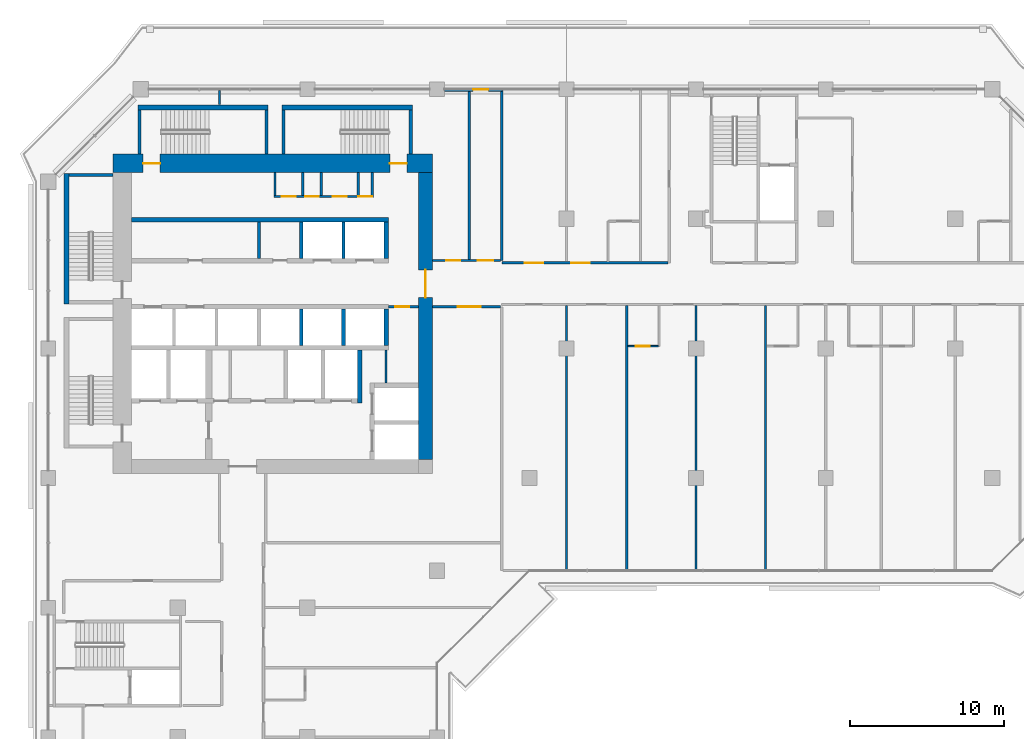
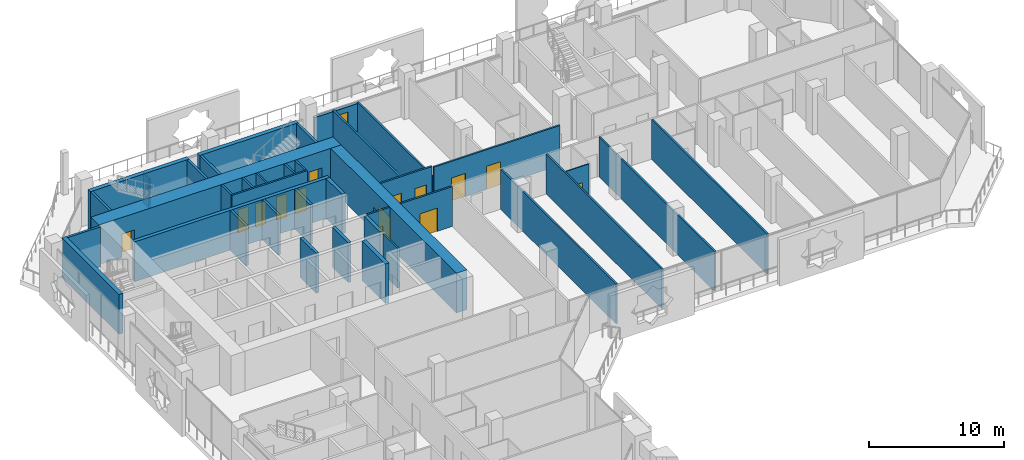
# One storey, part 12 of 22: 39 walls, 15 doors, 15 openings.
"""IFC4 building model written with IfcOpenShell, lengths in metres."""

from ifc_helpers import new_model, si_unit, direction, frame, frame_2d, origin, place, context, subcontext, project, spatial, rectangle, extrude, material, layer, layer_set, type_object, element, fill, save


model = new_model("IFC4")

# Units and contexts
model_context = context("Model", 3, precision=1e-05, world=origin(), true_north=direction((0.0, 1.0)))
body_context = subcontext(model_context, "Body", "Model", "MODEL_VIEW")
ifc_project = project(units=[si_unit("LENGTHUNIT", "METRE"), si_unit("AREAUNIT", "SQUARE_METRE"), si_unit("VOLUMEUNIT", "CUBIC_METRE"), si_unit("PLANEANGLEUNIT", "RADIAN"), si_unit("MASSUNIT", "GRAM", prefix="KILO")], contexts=[model_context])

# Site, building, storey
site_placement = place(None, origin())
site = spatial("IfcSite", under=ifc_project, at=site_placement, CompositionType="ELEMENT")
building_placement = place(site_placement, origin())
building = spatial("IfcBuilding", under=site, at=building_placement, Name="Kawkab Arch Medical Tower", CompositionType="ELEMENT")
storey_placement = place(building_placement, frame((0.0, 0.0, 171.0)))
storey = spatial("IfcBuildingStorey", under=building, at=storey_placement, Name="L39", CompositionType="ELEMENT", Elevation=171.0)

# Wall, openings, doors
ifc_material_1 = material(Name="Concrete C55/67", Category="concrete")
ifc_layer_1 = layer(ifc_material_1, 1.199951171875)
ifc_layer_set_1 = layer_set([ifc_layer_1], Name="Concrete C55/67")
wall_type_1 = type_object("IfcWallType", Name="Core ring wall 1200 C55/67", PredefinedType="SHEAR", material=ifc_layer_set_1)
wall_1_placement = place(storey_placement, frame((4.199951171875, -4.800048828125, 0.0), z_axis=(0.0, 0.0, 1.0), x_axis=(1.0, 0.0, 0.0)))
wall_1 = element("IfcWall", 1, at=wall_1_placement, inside=storey, type_object=wall_type_1, Name="L39 core wall", PredefinedType="SHEAR", context=body_context, shape_type="SweptSolid", body=[
    extrude(rectangle(XDim=20.699951171875, YDim=1.199951171875, at=frame_2d((10.35009765625, 0.0))), origin(), (0.0, 0.0, 1.0), 3.60009765625),
])
opening_1_placement = place(wall_1_placement, frame((1.949951171875, 0.0, 0.0)))
opening_1 = element("IfcOpeningElement", 2, at=opening_1_placement, cuts=wall_1, Name="Opening SD", PredefinedType="OPENING", context=body_context, shape_type="SweptSolid", body=[
    extrude(rectangle(XDim=1.10009765625, YDim=2.10009765625, at=frame_2d((0.550048828125, 1.050048828125))), frame((0.0, 0.60986328125, 0.0), z_axis=(0.0, -1.0, 0.0), x_axis=(1.0, 0.0, 0.0)), (0.0, 0.0, 1.0), 1.219970703125),
])
opening_2_placement = place(wall_1_placement, frame((17.949951171875, 0.0, 0.0)))
opening_2 = element("IfcOpeningElement", 3, at=opening_2_placement, cuts=wall_1, Name="Opening SD", PredefinedType="OPENING", context=body_context, shape_type="SweptSolid", body=[
    extrude(rectangle(XDim=1.10009765625, YDim=2.10009765625, at=frame_2d((0.550048828125, 1.050048828125))), frame((0.0, 0.60986328125, 0.0), z_axis=(0.0, -1.0, 0.0), x_axis=(1.0, 0.0, 0.0)), (0.0, 0.0, 1.0), 1.219970703125),
])
ifc_material_2 = material(Name="Hollow metal fire door leaf")
door_type_1 = type_object("IfcDoorType", Name="Exit stair door 1100", OperationType="SINGLE_SWING_LEFT", PredefinedType="DOOR", material=ifc_material_2)
door_1_placement = place(opening_1_placement, origin())
door_1 = element("IfcDoor", 4, at=door_1_placement, inside=storey, type_object=door_type_1, Name="L39 Exit stair ST3 door", OperationType="SINGLE_SWING_LEFT", OverallHeight=2.10009765625, OverallWidth=1.10009765625, PredefinedType="DOOR", context=body_context, shape_type="SweptSolid", body=[
    extrude(rectangle(XDim=1.10009765625, YDim=2.10009765625, at=frame_2d((0.550048828125, 1.050048828125))), frame((0.0, 0.02490234375, 0.0), z_axis=(0.0, -1.0, 0.0), x_axis=(1.0, 0.0, 0.0)), (0.0, 0.0, 1.0), 0.050048828125),
])
fill(opening_1, door_1)
door_2_placement = place(opening_2_placement, origin())
door_2 = element("IfcDoor", 5, at=door_2_placement, inside=storey, type_object=door_type_1, Name="L39 Exit stair ST4 door", OperationType="SINGLE_SWING_LEFT", OverallHeight=2.10009765625, OverallWidth=1.10009765625, PredefinedType="DOOR", context=body_context, shape_type="SweptSolid", body=[
    extrude(rectangle(XDim=1.10009765625, YDim=2.10009765625, at=frame_2d((0.550048828125, 1.050048828125))), frame((0.0, 0.02490234375, 0.0), z_axis=(0.0, -1.0, 0.0), x_axis=(1.0, 0.0, 0.0)), (0.0, 0.0, 1.0), 0.050048828125),
])
fill(opening_2, door_2)

# Wall, opening, door
ifc_material_3 = material(Name="Concrete C55/67", Category="concrete")
ifc_layer_2 = layer(ifc_material_3, 0.89990234375)
ifc_layer_set_2 = layer_set([ifc_layer_2], Name="Concrete C55/67")
wall_type_2 = type_object("IfcWallType", Name="Core ring wall 900 C55/67", PredefinedType="SHEAR", material=ifc_layer_set_2)
wall_2_placement = place(storey_placement, frame((24.449951171875, -24.0, 0.0), z_axis=(0.0, 0.0, 1.0), x_axis=(0.0, 1.0, 0.0)))
wall_2 = element("IfcWall", 6, at=wall_2_placement, inside=storey, type_object=wall_type_2, Name="L39 core wall", PredefinedType="SHEAR", context=body_context, shape_type="SweptSolid", body=[
    extrude(rectangle(XDim=18.60009765625, YDim=0.89990234375, at=frame_2d((9.300048828125, 0.0))), origin(), (0.0, 0.0, 1.0), 3.60009765625),
])
opening_3_placement = place(wall_2_placement, frame((10.5, 0.0, 0.0)))
opening_3 = element("IfcOpeningElement", 7, at=opening_3_placement, cuts=wall_2, Name="Opening PD", PredefinedType="OPENING", context=body_context, shape_type="SweptSolid", body=[
    extrude(rectangle(XDim=1.800048828125, YDim=2.10009765625, at=frame_2d((0.89990234375, 1.050048828125))), frame((0.0, 0.4599609375, 0.0), z_axis=(0.0, -1.0, 0.0), x_axis=(1.0, 0.0, 0.0)), (0.0, 0.0, 1.0), 0.919921875),
])
ifc_material_4 = material(Name="Hollow metal fire door leaf")
door_type_2 = type_object("IfcDoorType", Name="Core entrance doors 1800", OperationType="DOUBLE_DOOR_SINGLE_SWING", PredefinedType="DOOR", material=ifc_material_4)
door_3_placement = place(opening_3_placement, origin())
door_3 = element("IfcDoor", 8, at=door_3_placement, inside=storey, type_object=door_type_2, Name="L39 East entrance doors", OperationType="DOUBLE_DOOR_SINGLE_SWING", OverallHeight=2.10009765625, OverallWidth=1.800048828125, PredefinedType="DOOR", context=body_context, shape_type="SweptSolid", body=[
    extrude(rectangle(XDim=1.800048828125, YDim=2.10009765625, at=frame_2d((0.89990234375, 1.050048828125))), frame((0.0, 0.02490234375, 0.0), z_axis=(0.0, -1.0, 0.0), x_axis=(1.0, 0.0, 0.0)), (0.0, 0.0, 1.0), 0.050048828125),
])
fill(opening_3, door_3)

# Wall
ifc_material_5 = material(Name="Gypsum board on steel studs", Category="steel")
ifc_layer_3 = layer(ifc_material_5, 0.14990234375)
ifc_layer_set_3 = layer_set([ifc_layer_3], Name="Gypsum board on steel studs")
wall_type_3 = type_object("IfcWallType", Name="Core room partition 150", PredefinedType="PARTITIONING", material=ifc_layer_set_3)
wall_3_placement = place(storey_placement, frame((21.89990234375, -19.050048828125, 0.0), z_axis=(0.0, 0.0, 1.0), x_axis=(0.0, 1.0, 0.0)))
element("IfcWall", 9, at=wall_3_placement, inside=storey, type_object=wall_type_3, Name="L39 core room partition", PredefinedType="PARTITIONING", context=body_context, shape_type="SweptSolid", body=[
    extrude(rectangle(XDim=2.150146484375, YDim=0.14990234375, at=frame_2d((1.0751953125, 0.0))), origin(), (0.0, 0.0, 1.0), 3.60009765625),
])

# Wall, opening, door
wall_4_placement = place(storey_placement, frame((22.050048828125, -14.10009765625, 0.0), z_axis=(0.0, 0.0, 1.0), x_axis=(1.0, 0.0, 0.0)))
wall_4 = element("IfcWall", 10, at=wall_4_placement, inside=storey, type_object=wall_type_3, Name="L39 core room partition", PredefinedType="PARTITIONING", context=body_context, shape_type="SweptSolid", body=[
    extrude(rectangle(XDim=1.949951171875, YDim=0.14990234375, at=frame_2d((0.97509765625, 0.0))), origin(), (0.0, 0.0, 1.0), 3.60009765625),
])
opening_4_placement = place(wall_4_placement, frame((0.449951171875, 0.0, 0.0)))
opening_4 = element("IfcOpeningElement", 11, at=opening_4_placement, cuts=wall_4, Name="Opening RD", PredefinedType="OPENING", context=body_context, shape_type="SweptSolid", body=[
    extrude(rectangle(XDim=0.89990234375, YDim=2.10009765625, at=frame_2d((0.449951171875, 1.050048828125))), frame((0.0, 0.0849609375, 0.0), z_axis=(0.0, -1.0, 0.0), x_axis=(1.0, 0.0, 0.0)), (0.0, 0.0, 1.0), 0.169921875),
])
ifc_material_6 = material(Name="Hollow metal fire door leaf")
door_type_3 = type_object("IfcDoorType", Name="Core room door 900", OperationType="SINGLE_SWING_LEFT", PredefinedType="DOOR", material=ifc_material_6)
door_4_placement = place(opening_4_placement, origin())
door_4 = element("IfcDoor", 12, at=door_4_placement, inside=storey, type_object=door_type_3, Name="L39 Ward pantry door", OperationType="SINGLE_SWING_LEFT", OverallHeight=2.10009765625, OverallWidth=0.89990234375, PredefinedType="DOOR", context=body_context, shape_type="SweptSolid", body=[
    extrude(rectangle(XDim=0.89990234375, YDim=2.10009765625, at=frame_2d((0.449951171875, 1.050048828125))), frame((0.0, 0.02490234375, 0.0), z_axis=(0.0, -1.0, 0.0), x_axis=(1.0, 0.0, 0.0)), (0.0, 0.0, 1.0), 0.050048828125),
])
fill(opening_4, door_4)

# Wall, openings, doors
wall_5_placement = place(storey_placement, frame((14.625, -6.949951171875, 0.0), z_axis=(0.0, 0.0, 1.0), x_axis=(1.0, 0.0, 0.0)))
wall_5 = element("IfcWall", 13, at=wall_5_placement, inside=storey, type_object=wall_type_3, Name="L39 core room partition", PredefinedType="PARTITIONING", context=body_context, shape_type="SweptSolid", body=[
    extrude(rectangle(XDim=6.449951171875, YDim=0.14990234375, at=frame_2d((3.22509765625, 0.0))), origin(), (0.0, 0.0, 1.0), 3.60009765625),
])
opening_5_placement = place(wall_5_placement, frame((0.52490234375, 0.0, 0.0)))
opening_5 = element("IfcOpeningElement", 14, at=opening_5_placement, cuts=wall_5, Name="Opening RD", PredefinedType="OPENING", context=body_context, shape_type="SweptSolid", body=[
    extrude(rectangle(XDim=0.89990234375, YDim=2.10009765625, at=frame_2d((0.449951171875, 1.050048828125))), frame((0.0, 0.0849609375, 0.0), z_axis=(0.0, -1.0, 0.0), x_axis=(1.0, 0.0, 0.0)), (0.0, 0.0, 1.0), 0.169921875),
])
opening_6_placement = place(wall_5_placement, frame((2.02490234375, 0.0, 0.0)))
opening_6 = element("IfcOpeningElement", 15, at=opening_6_placement, cuts=wall_5, Name="Opening RD", PredefinedType="OPENING", context=body_context, shape_type="SweptSolid", body=[
    extrude(rectangle(XDim=0.89990234375, YDim=2.10009765625, at=frame_2d((0.449951171875, 1.050048828125))), frame((0.0, 0.0849609375, 0.0), z_axis=(0.0, -1.0, 0.0), x_axis=(1.0, 0.0, 0.0)), (0.0, 0.0, 1.0), 0.169921875),
])
opening_7_placement = place(wall_5_placement, frame((3.824951171875, 0.0, 0.0)))
opening_7 = element("IfcOpeningElement", 16, at=opening_7_placement, cuts=wall_5, Name="Opening RD", PredefinedType="OPENING", context=body_context, shape_type="SweptSolid", body=[
    extrude(rectangle(XDim=0.89990234375, YDim=2.10009765625, at=frame_2d((0.449951171875, 1.050048828125))), frame((0.0, 0.0849609375, 0.0), z_axis=(0.0, -1.0, 0.0), x_axis=(1.0, 0.0, 0.0)), (0.0, 0.0, 1.0), 0.169921875),
])
opening_8_placement = place(wall_5_placement, frame((5.47509765625, 0.0, 0.0)))
opening_8 = element("IfcOpeningElement", 17, at=opening_8_placement, cuts=wall_5, Name="Opening RD", PredefinedType="OPENING", context=body_context, shape_type="SweptSolid", body=[
    extrude(rectangle(XDim=0.89990234375, YDim=2.10009765625, at=frame_2d((0.449951171875, 1.050048828125))), frame((0.0, 0.0849609375, 0.0), z_axis=(0.0, -1.0, 0.0), x_axis=(1.0, 0.0, 0.0)), (0.0, 0.0, 1.0), 0.169921875),
])
door_5_placement = place(opening_5_placement, origin())
door_5 = element("IfcDoor", 18, at=door_5_placement, inside=storey, type_object=door_type_3, Name="L39 Data room door", OperationType="SINGLE_SWING_LEFT", OverallHeight=2.10009765625, OverallWidth=0.89990234375, PredefinedType="DOOR", context=body_context, shape_type="SweptSolid", body=[
    extrude(rectangle(XDim=0.89990234375, YDim=2.10009765625, at=frame_2d((0.449951171875, 1.050048828125))), frame((0.0, 0.02490234375, 0.0), z_axis=(0.0, -1.0, 0.0), x_axis=(1.0, 0.0, 0.0)), (0.0, 0.0, 1.0), 0.050048828125),
])
fill(opening_5, door_5)
door_6_placement = place(opening_6_placement, origin())
door_6 = element("IfcDoor", 19, at=door_6_placement, inside=storey, type_object=door_type_3, Name="L39 Electrical riser room door", OperationType="SINGLE_SWING_LEFT", OverallHeight=2.10009765625, OverallWidth=0.89990234375, PredefinedType="DOOR", context=body_context, shape_type="SweptSolid", body=[
    extrude(rectangle(XDim=0.89990234375, YDim=2.10009765625, at=frame_2d((0.449951171875, 1.050048828125))), frame((0.0, 0.02490234375, 0.0), z_axis=(0.0, -1.0, 0.0), x_axis=(1.0, 0.0, 0.0)), (0.0, 0.0, 1.0), 0.050048828125),
])
fill(opening_6, door_6)
door_7_placement = place(opening_7_placement, origin())
door_7 = element("IfcDoor", 20, at=door_7_placement, inside=storey, type_object=door_type_3, Name="L39 Equipment store door", OperationType="SINGLE_SWING_LEFT", OverallHeight=2.10009765625, OverallWidth=0.89990234375, PredefinedType="DOOR", context=body_context, shape_type="SweptSolid", body=[
    extrude(rectangle(XDim=0.89990234375, YDim=2.10009765625, at=frame_2d((0.449951171875, 1.050048828125))), frame((0.0, 0.02490234375, 0.0), z_axis=(0.0, -1.0, 0.0), x_axis=(1.0, 0.0, 0.0)), (0.0, 0.0, 1.0), 0.050048828125),
])
fill(opening_7, door_7)
door_8_placement = place(opening_8_placement, origin())
door_8 = element("IfcDoor", 21, at=door_8_placement, inside=storey, type_object=door_type_3, Name="L39 General store door", OperationType="SINGLE_SWING_LEFT", OverallHeight=2.10009765625, OverallWidth=0.89990234375, PredefinedType="DOOR", context=body_context, shape_type="SweptSolid", body=[
    extrude(rectangle(XDim=0.89990234375, YDim=2.10009765625, at=frame_2d((0.449951171875, 1.050048828125))), frame((0.0, 0.02490234375, 0.0), z_axis=(0.0, -1.0, 0.0), x_axis=(1.0, 0.0, 0.0)), (0.0, 0.0, 1.0), 0.050048828125),
])
fill(opening_8, door_8)

# Walls
for number, where, z_axis, x_axis, name in (
    (22, (14.699951171875, -6.875, 0.0), (0.0, 0.0, 1.0), (0.0, 1.0, 0.0), "L39 core room partition"),
    (23, (16.5, -6.875, 0.0), (0.0, 0.0, 1.0), (0.0, 1.0, 0.0), "L39 core room partition"),
    (24, (17.699951171875, -6.875, 0.0), (0.0, 0.0, 1.0), (0.0, 1.0, 0.0), "L39 core room partition"),
    (25, (20.10009765625, -6.875, 0.0), (0.0, 0.0, 1.0), (0.0, 1.0, 0.0), "L39 core room partition"),
    (26, (21.0, -6.875, 0.0), (0.0, 0.0, 1.0), (0.0, 1.0, 0.0), "L39 core room partition"),
):
    element("IfcWall", number, at=place(storey_placement, frame(where, z_axis=z_axis, x_axis=x_axis)), inside=storey, type_object=wall_type_3, Name=name, PredefinedType="PARTITIONING", context=body_context, shape_type="SweptSolid", body=[
        extrude(rectangle(XDim=1.47509765625, YDim=0.14990234375, at=frame_2d((0.737548828125, 0.0))), origin(), (0.0, 0.0, 1.0), 3.60009765625),
    ])
ifc_material_7 = material(Name="Concrete C60/75", Category="concrete")
ifc_layer_4 = layer(ifc_material_7, 0.25)
ifc_layer_set_4 = layer_set([ifc_layer_4], Name="Concrete C60/75")
wall_type_4 = type_object("IfcWallType", Name="Core shear wall 250 C60/75", PredefinedType="SHEAR", material=ifc_layer_set_4)
for number, where, z_axis, x_axis, name in (
    (27, (16.39990234375, -16.60009765625, 0.0), (0.0, 0.0, 1.0), (0.0, 1.0, 0.0), "L39 core shear wall"),
    (28, (19.14990234375, -16.60009765625, 0.0), (0.0, 0.0, 1.0), (0.0, 1.0, 0.0), "L39 core shear wall"),
):
    element("IfcWall", number, at=place(storey_placement, frame(where, z_axis=z_axis, x_axis=x_axis)), inside=storey, type_object=wall_type_4, Name=name, PredefinedType="SHEAR", context=body_context, shape_type="SweptSolid", body=[
        extrude(rectangle(XDim=2.35009765625, YDim=0.25, at=frame_2d((1.175048828125, 0.0))), origin(), (0.0, 0.0, 1.0), 3.60009765625),
    ])
ifc_material_8 = material(Name="Concrete C60/75", Category="concrete")
ifc_layer_5 = layer(ifc_material_8, 0.300048828125)
ifc_layer_set_5 = layer_set([ifc_layer_5], Name="Concrete C60/75")
wall_type_5 = type_object("IfcWallType", Name="Core shear wall 300 C60/75", PredefinedType="SHEAR", material=ifc_layer_set_5)
wall_6_placement = place(storey_placement, frame((5.39990234375, -8.449951171875, 0.0), z_axis=(0.0, 0.0, 1.0), x_axis=(1.0, 0.0, 0.0)))
element("IfcWall", 29, at=wall_6_placement, inside=storey, type_object=wall_type_5, Name="L39 core shear wall", PredefinedType="SHEAR", context=body_context, shape_type="SweptSolid", body=[
    extrude(rectangle(XDim=16.650146484375, YDim=0.300048828125, at=frame_2d((8.3251953125, 0.0))), origin(), (0.0, 0.0, 1.0), 3.60009765625),
])
wall_7_placement = place(storey_placement, frame((20.199951171875, -20.35009765625, 0.0), z_axis=(0.0, 0.0, 1.0), x_axis=(0.0, 1.0, 0.0)))
element("IfcWall", 30, at=wall_7_placement, inside=storey, type_object=wall_type_5, Name="L39 core shear wall", PredefinedType="SHEAR", context=body_context, shape_type="SweptSolid", body=[
    extrude(rectangle(XDim=3.4501953125, YDim=0.300048828125, at=frame_2d((1.72509765625, 0.0))), origin(), (0.0, 0.0, 1.0), 3.60009765625),
])
wall_8_placement = place(storey_placement, frame((21.89990234375, -10.949951171875, 0.0), z_axis=(0.0, 0.0, 1.0), x_axis=(0.0, 1.0, 0.0)))
element("IfcWall", 31, at=wall_8_placement, inside=storey, type_object=wall_type_5, Name="L39 core shear wall", PredefinedType="SHEAR", context=body_context, shape_type="SweptSolid", body=[
    extrude(rectangle(XDim=2.349853515625, YDim=0.300048828125, at=frame_2d((1.1748046875, 0.0))), origin(), (0.0, 0.0, 1.0), 3.60009765625),
])
wall_9_placement = place(storey_placement, frame((21.89990234375, -16.60009765625, 0.0), z_axis=(0.0, 0.0, 1.0), x_axis=(0.0, 1.0, 0.0)))
element("IfcWall", 32, at=wall_9_placement, inside=storey, type_object=wall_type_5, Name="L39 core shear wall", PredefinedType="SHEAR", context=body_context, shape_type="SweptSolid", body=[
    extrude(rectangle(XDim=2.35009765625, YDim=0.300048828125, at=frame_2d((1.175048828125, 0.0))), origin(), (0.0, 0.0, 1.0), 3.60009765625),
])

# Wall, opening, door
ifc_material_9 = material(Name="Bronze clad insulated wall panel")
ifc_layer_6 = layer(ifc_material_9, 0.25)
ifc_layer_set_6 = layer_set([ifc_layer_6], Name="Bronze clad insulated wall panel")
wall_type_6 = type_object("IfcWallType", Name="External wall bay 250", PredefinedType="SOLIDWALL", material=ifc_layer_set_6)
wall_10_placement = place(storey_placement, frame((29.39990234375, 0.0, 0.0), z_axis=(0.0, 0.0, 1.0), x_axis=(-1.0, 0.0, 0.0)))
wall_10 = element("IfcWall", 33, at=wall_10_placement, inside=storey, type_object=wall_type_6, Name="External wall bay L39.R11.4.2", PredefinedType="SOLIDWALL", context=body_context, shape_type="SweptSolid", body=[
    extrude(rectangle(XDim=3.724853515625, YDim=0.25, at=frame_2d((1.8623046875, 0.0))), origin(), (0.0, 0.0, 1.0), 2.580078125),
])
opening_9_placement = place(wall_10_placement, frame((0.862548828125, 0.0, 0.0)))
opening_9 = element("IfcOpeningElement", 34, at=opening_9_placement, cuts=wall_10, Name="Opening W39-702", PredefinedType="OPENING", context=body_context, shape_type="SweptSolid", body=[
    extrude(rectangle(XDim=1.0, YDim=2.10009765625, at=frame_2d((0.5, 1.050048828125))), frame((0.0, 0.135009765625, 0.0), z_axis=(0.0, -1.0, 0.0), x_axis=(1.0, 0.0, 0.0)), (0.0, 0.0, 1.0), 0.27001953125),
])
ifc_material_10 = material(Name="Bronze anodised aluminium door with tinted glass", Category="aluminium")
door_type_4 = type_object("IfcDoorType", Name="Single external door 1000 x 2100", OperationType="SINGLE_SWING_LEFT", PredefinedType="DOOR", material=ifc_material_10)
door_9_placement = place(opening_9_placement, origin())
door_9 = element("IfcDoor", 35, at=door_9_placement, inside=storey, type_object=door_type_4, Name="External door L39.R11.4.2", OperationType="SINGLE_SWING_LEFT", OverallHeight=2.10009765625, OverallWidth=1.0, PredefinedType="DOOR", context=body_context, shape_type="SweptSolid", body=[
    extrude(rectangle(XDim=1.0, YDim=2.10009765625, at=frame_2d((0.5, 1.050048828125))), frame((0.0, 0.02490234375, 0.0), z_axis=(0.0, -1.0, 0.0), x_axis=(1.0, 0.0, 0.0)), (0.0, 0.0, 1.0), 0.050048828125),
])
fill(opening_9, door_9)

# Walls
ifc_material_11 = material(Name="Dense concrete blockwork", Category="masonry")
ifc_layer_7 = layer(ifc_material_11, 0.199951171875)
ifc_layer_set_7 = layer_set([ifc_layer_7], Name="Dense concrete blockwork")
wall_type_7 = type_object("IfcWallType", Name="Lift shaft partition 200", PredefinedType="PARTITIONING", material=ifc_layer_set_7)
for number, where, z_axis, x_axis, name in (
    (36, (13.64990234375, -10.949951171875, 0.0), (0.0, 0.0, 1.0), (0.0, 1.0, 0.0), "L39 lift shaft partition"),
    (37, (16.39990234375, -10.949951171875, 0.0), (0.0, 0.0, 1.0), (0.0, 1.0, 0.0), "L39 lift shaft partition"),
    (38, (19.14990234375, -10.949951171875, 0.0), (0.0, 0.0, 1.0), (0.0, 1.0, 0.0), "L39 lift shaft partition"),
):
    element("IfcWall", number, at=place(storey_placement, frame(where, z_axis=z_axis, x_axis=x_axis)), inside=storey, type_object=wall_type_7, Name=name, PredefinedType="PARTITIONING", context=body_context, shape_type="SweptSolid", body=[
        extrude(rectangle(XDim=2.349853515625, YDim=0.199951171875, at=frame_2d((1.1748046875, 0.0))), origin(), (0.0, 0.0, 1.0), 3.60009765625),
    ])

# Wall, opening, door
ifc_material_12 = material(Name="Gypsum board partition on steel studs", Category="steel")
ifc_layer_8 = layer(ifc_material_12, 0.10009765625)
ifc_layer_set_8 = layer_set([ifc_layer_8], Name="Gypsum board partition on steel studs")
wall_type_8 = type_object("IfcWallType", Name="Partition 100", PredefinedType="PARTITIONING", material=ifc_layer_set_8)
wall_11_placement = place(storey_placement, frame((37.574951171875, -16.64990234375, 0.0), z_axis=(0.0, 0.0, 1.0), x_axis=(1.0, 0.0, 0.0)))
wall_11 = element("IfcWall", 39, at=wall_11_placement, inside=storey, type_object=wall_type_8, Name="Partition 100 w004", PredefinedType="PARTITIONING", context=body_context, shape_type="SweptSolid", body=[
    extrude(rectangle(XDim=1.97509765625, YDim=0.10009765625, at=frame_2d((0.987548828125, 0.0))), origin(), (0.0, 0.0, 1.0), 3.60009765625),
])
opening_10_placement = place(wall_11_placement, frame((0.52490234375, 0.0, 0.0)))
opening_10 = element("IfcOpeningElement", 40, at=opening_10_placement, cuts=wall_11, Name="Opening W39-005", PredefinedType="OPENING", context=body_context, shape_type="SweptSolid", body=[
    extrude(rectangle(XDim=0.89990234375, YDim=2.10009765625, at=frame_2d((0.449951171875, 1.050048828125))), frame((0.0, 0.06005859375, 0.0), z_axis=(0.0, -1.0, 0.0), x_axis=(1.0, 0.0, 0.0)), (0.0, 0.0, 1.0), 0.1201171875),
])
ifc_material_13 = material(Name="Timber door leaf", Category="wood")
door_type_5 = type_object("IfcDoorType", Name="Single door 900x2100", OperationType="NOTDEFINED", PredefinedType="DOOR", material=ifc_material_13)
door_10_placement = place(opening_10_placement, origin())
door_10 = element("IfcDoor", 41, at=door_10_placement, inside=storey, type_object=door_type_5, Name="Door W39-005", OperationType="SINGLE_SWING_LEFT", OverallHeight=2.10009765625, OverallWidth=0.89990234375, PredefinedType="DOOR", context=body_context, shape_type="SweptSolid", body=[
    extrude(rectangle(XDim=0.89990234375, YDim=2.10009765625, at=frame_2d((0.449951171875, 1.050048828125))), frame((0.0, 0.02490234375, 0.0), z_axis=(0.0, -1.0, 0.0), x_axis=(1.0, 0.0, 0.0)), (0.0, 0.0, 1.0), 0.050048828125),
])
fill(opening_10, door_10)

ifc_material_14 = material(Name="Gypsum board partition on steel studs, mineral wool", Category="steel")
ifc_layer_9 = layer(ifc_material_14, 0.14990234375)
ifc_layer_set_9 = layer_set([ifc_layer_9], Name="Gypsum board partition on steel studs, mineral wool")
wall_type_9 = type_object("IfcWallType", Name="Partition 150", PredefinedType="PARTITIONING", material=ifc_layer_set_9)
wall_12_placement = place(storey_placement, frame((24.89990234375, -14.10009765625, 0.0), z_axis=(0.0, 0.0, 1.0), x_axis=(1.0, 0.0, 0.0)))
wall_12 = element("IfcWall", 42, at=wall_12_placement, inside=storey, type_object=wall_type_9, Name="Partition 150 w031", PredefinedType="PARTITIONING", context=body_context, shape_type="SweptSolid", body=[
    extrude(rectangle(XDim=4.425048828125, YDim=0.14990234375, at=frame_2d((2.21240234375, 0.0))), origin(), (0.0, 0.0, 1.0), 3.60009765625),
])
opening_11_placement = place(wall_12_placement, frame((1.64990234375, 0.0, 0.0)))
opening_11 = element("IfcOpeningElement", 43, at=opening_11_placement, cuts=wall_12, Name="Opening W39-001", PredefinedType="OPENING", context=body_context, shape_type="SweptSolid", body=[
    extrude(rectangle(XDim=1.5, YDim=2.10009765625, at=frame_2d((0.75, 1.050048828125))), frame((0.0, 0.0849609375, 0.0), z_axis=(0.0, -1.0, 0.0), x_axis=(1.0, 0.0, 0.0)), (0.0, 0.0, 1.0), 0.169921875),
])
ifc_material_15 = material(Name="Hollow metal door leaf")
door_type_6 = type_object("IfcDoorType", Name="Double door 1500x2100 FD30S", OperationType="NOTDEFINED", PredefinedType="DOOR", material=ifc_material_15)
door_11_placement = place(opening_11_placement, origin())
door_11 = element("IfcDoor", 44, at=door_11_placement, inside=storey, type_object=door_type_6, Name="Door W39-001", OperationType="DOUBLE_DOOR_SINGLE_SWING", OverallHeight=2.10009765625, OverallWidth=1.5, PredefinedType="DOOR", context=body_context, shape_type="SweptSolid", body=[
    extrude(rectangle(XDim=1.5, YDim=2.10009765625, at=frame_2d((0.75, 1.050048828125))), frame((0.0, 0.02490234375, 0.0), z_axis=(0.0, -1.0, 0.0), x_axis=(1.0, 0.0, 0.0)), (0.0, 0.0, 1.0), 0.050048828125),
])
fill(opening_11, door_11)

# Wall, openings, doors
wall_13_placement = place(storey_placement, frame((29.39990234375, -11.25, 0.0), z_axis=(0.0, 0.0, 1.0), x_axis=(1.0, 0.0, 0.0)))
wall_13 = element("IfcWall", 45, at=wall_13_placement, inside=storey, type_object=wall_type_9, Name="Partition 150 w033", PredefinedType="PARTITIONING", context=body_context, shape_type="SweptSolid", body=[
    extrude(rectangle(XDim=10.781982421875, YDim=0.14990234375, at=frame_2d((5.39111328125, 0.0))), origin(), (0.0, 0.0, 1.0), 3.60009765625),
])
opening_12_placement = place(wall_13_placement, frame((4.5, 0.0, 0.0)))
opening_12 = element("IfcOpeningElement", 46, at=opening_12_placement, cuts=wall_13, Name="Opening W39-027", PredefinedType="OPENING", context=body_context, shape_type="SweptSolid", body=[
    extrude(rectangle(XDim=1.199951171875, YDim=2.10009765625, at=frame_2d((0.60009765625, 1.050048828125))), frame((0.0, 0.0849609375, 0.0), z_axis=(0.0, -1.0, 0.0), x_axis=(1.0, 0.0, 0.0)), (0.0, 0.0, 1.0), 0.169921875),
])
opening_13_placement = place(wall_13_placement, frame((1.5, 0.0, 0.0)))
opening_13 = element("IfcOpeningElement", 47, at=opening_13_placement, cuts=wall_13, Name="Opening W39-039", PredefinedType="OPENING", context=body_context, shape_type="SweptSolid", body=[
    extrude(rectangle(XDim=1.199951171875, YDim=2.10009765625, at=frame_2d((0.60009765625, 1.050048828125))), frame((0.0, 0.0849609375, 0.0), z_axis=(0.0, -1.0, 0.0), x_axis=(1.0, 0.0, 0.0)), (0.0, 0.0, 1.0), 0.169921875),
])
ifc_material_16 = material(Name="Hollow metal door leaf")
door_type_7 = type_object("IfcDoorType", Name="Single door 1200x2100 FD30S", OperationType="NOTDEFINED", PredefinedType="DOOR", material=ifc_material_16)
door_12_placement = place(opening_12_placement, origin())
door_12 = element("IfcDoor", 48, at=door_12_placement, inside=storey, type_object=door_type_7, Name="Door W39-027", OperationType="SINGLE_SWING_RIGHT", OverallHeight=2.10009765625, OverallWidth=1.199951171875, PredefinedType="DOOR", context=body_context, shape_type="SweptSolid", body=[
    extrude(rectangle(XDim=1.199951171875, YDim=2.10009765625, at=frame_2d((0.60009765625, 1.050048828125))), frame((0.0, 0.02490234375, 0.0), z_axis=(0.0, -1.0, 0.0), x_axis=(1.0, 0.0, 0.0)), (0.0, 0.0, 1.0), 0.050048828125),
])
fill(opening_12, door_12)
door_13_placement = place(opening_13_placement, origin())
door_13 = element("IfcDoor", 49, at=door_13_placement, inside=storey, type_object=door_type_7, Name="Door W39-039", OperationType="SINGLE_SWING_LEFT", OverallHeight=2.10009765625, OverallWidth=1.199951171875, PredefinedType="DOOR", context=body_context, shape_type="SweptSolid", body=[
    extrude(rectangle(XDim=1.199951171875, YDim=2.10009765625, at=frame_2d((0.60009765625, 1.050048828125))), frame((0.0, 0.02490234375, 0.0), z_axis=(0.0, -1.0, 0.0), x_axis=(1.0, 0.0, 0.0)), (0.0, 0.0, 1.0), 0.050048828125),
])
fill(opening_13, door_13)

wall_14_placement = place(storey_placement, frame((24.89990234375, -11.10009765625, 0.0), z_axis=(0.0, 0.0, 1.0), x_axis=(1.0, 0.0, 0.0)))
wall_14 = element("IfcWall", 50, at=wall_14_placement, inside=storey, type_object=wall_type_9, Name="Partition 150 w036", PredefinedType="PARTITIONING", context=body_context, shape_type="SweptSolid", body=[
    extrude(rectangle(XDim=4.425048828125, YDim=0.14990234375, at=frame_2d((2.21240234375, 0.0))), origin(), (0.0, 0.0, 1.0), 3.60009765625),
])
opening_14_placement = place(wall_14_placement, frame((0.89990234375, 0.0, 0.0)))
opening_14 = element("IfcOpeningElement", 51, at=opening_14_placement, cuts=wall_14, Name="Opening W39-012", PredefinedType="OPENING", context=body_context, shape_type="SweptSolid", body=[
    extrude(rectangle(XDim=0.89990234375, YDim=2.10009765625, at=frame_2d((0.449951171875, 1.050048828125))), frame((0.0, 0.0849609375, 0.0), z_axis=(0.0, -1.0, 0.0), x_axis=(1.0, 0.0, 0.0)), (0.0, 0.0, 1.0), 0.169921875),
])
opening_15_placement = place(wall_14_placement, frame((2.949951171875, 0.0, 0.0)))
opening_15 = element("IfcOpeningElement", 52, at=opening_15_placement, cuts=wall_14, Name="Opening W39-013", PredefinedType="OPENING", context=body_context, shape_type="SweptSolid", body=[
    extrude(rectangle(XDim=1.0, YDim=2.10009765625, at=frame_2d((0.5, 1.050048828125))), frame((0.0, 0.0849609375, 0.0), z_axis=(0.0, -1.0, 0.0), x_axis=(1.0, 0.0, 0.0)), (0.0, 0.0, 1.0), 0.169921875),
])
ifc_material_17 = material(Name="Timber door leaf", Category="wood")
door_type_8 = type_object("IfcDoorType", Name="Single door 1000x2100", OperationType="NOTDEFINED", PredefinedType="DOOR", material=ifc_material_17)
door_14_placement = place(opening_15_placement, origin())
door_14 = element("IfcDoor", 53, at=door_14_placement, inside=storey, type_object=door_type_8, Name="Door W39-013", OperationType="SINGLE_SWING_RIGHT", OverallHeight=2.10009765625, OverallWidth=1.0, PredefinedType="DOOR", context=body_context, shape_type="SweptSolid", body=[
    extrude(rectangle(XDim=1.0, YDim=2.10009765625, at=frame_2d((0.5, 1.050048828125))), frame((0.0, 0.02490234375, 0.0), z_axis=(0.0, -1.0, 0.0), x_axis=(1.0, 0.0, 0.0)), (0.0, 0.0, 1.0), 0.050048828125),
])
fill(opening_15, door_14)
door_15_placement = place(opening_14_placement, origin())
door_15 = element("IfcDoor", 54, at=door_15_placement, inside=storey, type_object=door_type_5, Name="Door W39-012", OperationType="SINGLE_SWING_LEFT", OverallHeight=2.10009765625, OverallWidth=0.89990234375, PredefinedType="DOOR", context=body_context, shape_type="SweptSolid", body=[
    extrude(rectangle(XDim=0.89990234375, YDim=2.10009765625, at=frame_2d((0.449951171875, 1.050048828125))), frame((0.0, 0.02490234375, 0.0), z_axis=(0.0, -1.0, 0.0), x_axis=(1.0, 0.0, 0.0)), (0.0, 0.0, 1.0), 0.050048828125),
])
fill(opening_14, door_15)

# Walls
wall_15_placement = place(storey_placement, frame((11.10009765625, -0.969970703125, 0.0), z_axis=(0.0, 0.0, 1.0), x_axis=(0.0, 1.0, 0.0)))
element("IfcWall", 55, at=wall_15_placement, inside=storey, type_object=wall_type_9, Name="Partition 150 w045", PredefinedType="PARTITIONING", context=body_context, shape_type="SweptSolid", body=[
    extrude(rectangle(XDim=0.889892578125, YDim=0.14990234375, at=frame_2d((0.44482421875, 0.0))), origin(), (0.0, 0.0, 1.0), 2.699951171875),
])
wall_16_placement = place(storey_placement, frame((27.300048828125, -11.02490234375, 0.0), z_axis=(0.0, 0.0, 1.0), x_axis=(0.0, 1.0, 0.0)))
element("IfcWall", 56, at=wall_16_placement, inside=storey, type_object=wall_type_9, Name="Partition 150 w051", PredefinedType="PARTITIONING", context=body_context, shape_type="SweptSolid", body=[
    extrude(rectangle(XDim=10.94482421875, YDim=0.14990234375, at=frame_2d((5.472412109375, 0.0))), origin(), (0.0, 0.0, 1.0), 2.699951171875),
])
wall_17_placement = place(storey_placement, frame((29.39990234375, -11.10009765625, 0.0), z_axis=(0.0, 0.0, 1.0), x_axis=(0.0, 1.0, 0.0)))
element("IfcWall", 57, at=wall_17_placement, inside=storey, type_object=wall_type_9, Name="Partition 150 w053", PredefinedType="PARTITIONING", context=body_context, shape_type="SweptSolid", body=[
    extrude(rectangle(XDim=11.02001953125, YDim=0.14990234375, at=frame_2d((5.510009765625, 0.0))), origin(), (0.0, 0.0, 1.0), 2.699951171875),
])
for number, where, z_axis, x_axis, name in (
    (58, (33.60009765625, -31.1201171875, 0.0), (0.0, 0.0, 1.0), (0.0, 1.0, 0.0), "Partition 150 w054"),
    (59, (37.5, -31.1201171875, 0.0), (0.0, 0.0, 1.0), (0.0, 1.0, 0.0), "Partition 150 w056"),
    (60, (42.0, -31.1201171875, 0.0), (0.0, 0.0, 1.0), (0.0, 1.0, 0.0), "Partition 150 w059"),
    (61, (46.5, -31.1201171875, 0.0), (0.0, 0.0, 1.0), (0.0, 1.0, 0.0), "Partition 150 w063"),
):
    element("IfcWall", number, at=place(storey_placement, frame(where, z_axis=z_axis, x_axis=x_axis)), inside=storey, type_object=wall_type_9, Name=name, PredefinedType="PARTITIONING", context=body_context, shape_type="SweptSolid", body=[
        extrude(rectangle(XDim=17.09521484375, YDim=0.14990234375, at=frame_2d((8.547607421875, 0.0))), origin(), (0.0, 0.0, 1.0), 3.60009765625),
    ])
ifc_material_18 = material(Name="Concrete C50/60", Category="concrete")
ifc_layer_10 = layer(ifc_material_18, 0.199951171875)
ifc_layer_set_10 = layer_set([ifc_layer_10], Name="Concrete C50/60")
wall_type_10 = type_object("IfcWallType", Name="Stair enclosure wall 200 C50/60", PredefinedType="SHEAR", material=ifc_layer_set_10)
for number, where, z_axis, x_axis, name in (
    (62, (1.35009765625, -5.550048828125, 0.0), (0.0, 0.0, 1.0), (1.0, 0.0, 0.0), "L39 stair enclosure wall"),
    (63, (5.89990234375, -4.199951171875, 0.0), (0.0, 0.0, 1.0), (0.0, 1.0, 0.0), "L39 stair enclosure wall"),
    (64, (14.14990234375, -4.199951171875, 0.0), (0.0, 0.0, 1.0), (0.0, 1.0, 0.0), "L39 stair enclosure wall"),
    (65, (15.25, -4.199951171875, 0.0), (0.0, 0.0, 1.0), (0.0, 1.0, 0.0), "L39 stair enclosure wall"),
    (66, (23.5, -4.199951171875, 0.0), (0.0, 0.0, 1.0), (0.0, 1.0, 0.0), "L39 stair enclosure wall"),
):
    element("IfcWall", number, at=place(storey_placement, frame(where, z_axis=z_axis, x_axis=x_axis)), inside=storey, type_object=wall_type_10, Name=name, PredefinedType="SHEAR", context=body_context, shape_type="SweptSolid", body=[
        extrude(rectangle(XDim=2.849853515625, YDim=0.199951171875, at=frame_2d((1.4248046875, 0.0))), origin(), (0.0, 0.0, 1.0), 3.60009765625),
    ])
ifc_material_19 = material(Name="Concrete C50/60", Category="concrete")
ifc_layer_11 = layer(ifc_material_19, 0.35009765625)
ifc_layer_set_11 = layer_set([ifc_layer_11], Name="Concrete C50/60")
wall_type_11 = type_object("IfcWallType", Name="Stair enclosure wall 350 C50/60", PredefinedType="SHEAR", material=ifc_layer_set_11)
for number, where, z_axis, x_axis, name in (
    (67, (1.175048828125, -13.89990234375, 0.0), (0.0, 0.0, 1.0), (0.0, 1.0, 0.0), "L39 stair enclosure wall"),
    (68, (5.800048828125, -1.175048828125, 0.0), (0.0, 0.0, 1.0), (1.0, 0.0, 0.0), "L39 stair enclosure wall"),
):
    element("IfcWall", number, at=place(storey_placement, frame(where, z_axis=z_axis, x_axis=x_axis)), inside=storey, type_object=wall_type_11, Name=name, PredefinedType="SHEAR", context=body_context, shape_type="SweptSolid", body=[
        extrude(rectangle(XDim=8.449951171875, YDim=0.35009765625, at=frame_2d((4.22509765625, 0.0))), origin(), (0.0, 0.0, 1.0), 3.60009765625),
    ])
wall_18_placement = place(storey_placement, frame((15.14990234375, -1.175048828125, 0.0), z_axis=(0.0, 0.0, 1.0), x_axis=(1.0, 0.0, 0.0)))
element("IfcWall", 69, at=wall_18_placement, inside=storey, type_object=wall_type_11, Name="L39 stair enclosure wall", PredefinedType="SHEAR", context=body_context, shape_type="SweptSolid", body=[
    extrude(rectangle(XDim=8.4501953125, YDim=0.35009765625, at=frame_2d((4.22509765625, 0.0))), origin(), (0.0, 0.0, 1.0), 3.60009765625),
])

save(model, "model.ifc")
